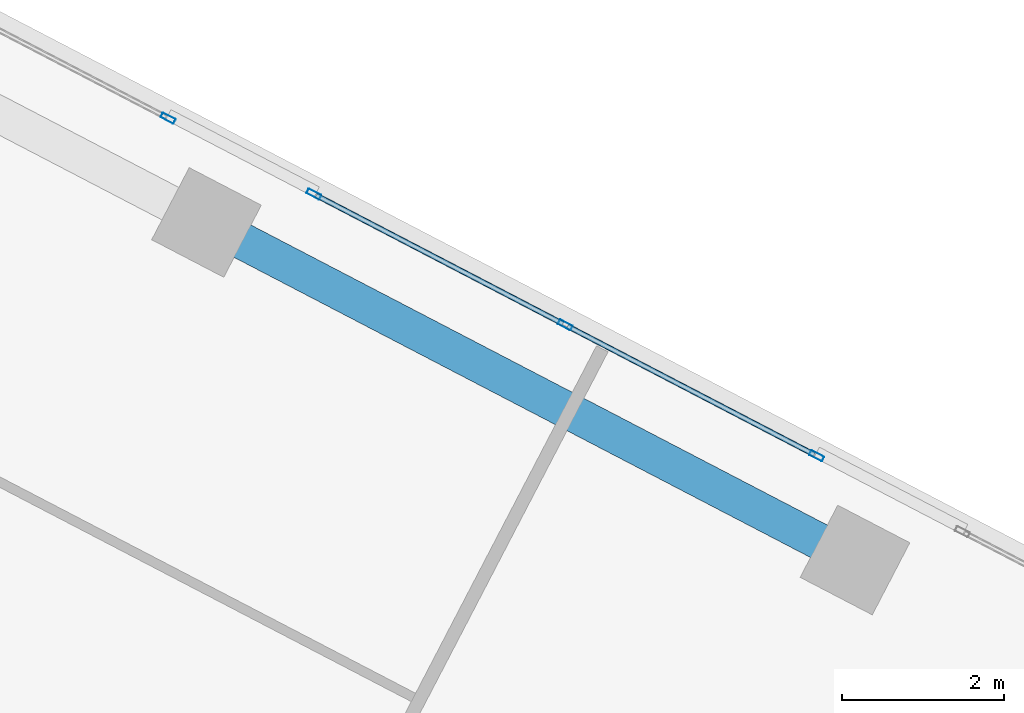
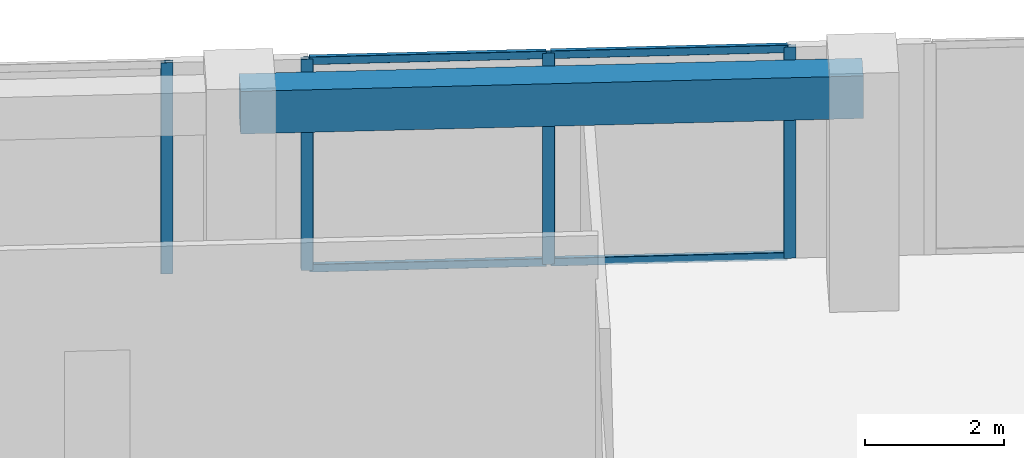
# One storey, part 15 of 22: 8 members, 1 beam, 2 elements without a shape of their own.
"""IFC4 building model written with IfcOpenShell, lengths in metres."""

from ifc_helpers import new_model, si_unit, direction, frame, origin, origin_2d, place, context, subcontext, project, spatial, rectangle, hollow_rectangle, extrude, source, transform, mapped, material, material_profile, profile_set, type_object, element, aggregate, save


model = new_model("IFC4")

# Units and contexts
model_context = context("Model", 3, precision=1e-05, world=origin(), true_north=direction((0.0, 1.0)))
body_context = subcontext(model_context, "Body", "Model", "MODEL_VIEW")
ifc_project = project(units=[si_unit("LENGTHUNIT", "METRE"), si_unit("AREAUNIT", "SQUARE_METRE"), si_unit("VOLUMEUNIT", "CUBIC_METRE"), si_unit("PLANEANGLEUNIT", "RADIAN"), si_unit("MASSUNIT", "GRAM", prefix="KILO")], contexts=[model_context])

# Site, building, storey
site_placement = place(None, origin())
site = spatial("IfcSite", under=ifc_project, at=site_placement, CompositionType="ELEMENT")
building_placement = place(site_placement, origin())
building = spatial("IfcBuilding", under=site, at=building_placement, Name="Torre Montelarca", CompositionType="ELEMENT")
storey_placement = place(building_placement, frame((0.0, 0.0, 166.60009765625)))
storey = spatial("IfcBuildingStorey", under=building, at=storey_placement, Name="L37", CompositionType="ELEMENT", Elevation=166.60009765625)

# Beam
ifc_material_1 = material(Name="Concrete C55/67", Category="concrete")
ifc_material_profile_1 = material_profile(ifc_material_1, rectangle(XDim=0.449951171875, YDim=0.75, at=origin_2d()), Name="RCB450X750", Category="concrete")
ifc_profile_set_1 = profile_set([ifc_material_profile_1], Name="Concrete C55/67")
beam_type = type_object("IfcBeamType", Name="BM-SP-RC750-EXT", PredefinedType="SPANDREL", material=ifc_profile_set_1)
shared_shape_1 = source(origin(), body_context, "Body", "SweptSolid", [
    extrude(rectangle(XDim=0.449951171875, YDim=0.75, at=origin_2d()), origin(), (0.0, 0.0, 1.0), 9.0),
])
beam_placement = place(storey_placement, frame((33.3740234375, 42.898681640625, 3.5849609375), z_axis=(0.887011077451, -0.461748143991, 0.0), x_axis=(0.461748143991, 0.887011077451, 0.0)))
element("IfcBeam", 1, at=beam_placement, inside=storey, type_object=beam_type, Name="L37 Grid Girder X 27.0-36.0 at Y=47.1", PredefinedType="SPANDREL", context=body_context, shape_type="MappedRepresentation", body=[
    mapped(shared_shape_1, transform((0.0, 0.0, 0.0), scale=1.0)),
])

# Curtain wall, members
ifc_material_2 = material(Name="Insulated low-E laminated glass", Category="glass")
curtain_wall_type = type_object("IfcCurtainWallType", Name="CW-SYS-Z2", PredefinedType="USERDEFINED", material=ifc_material_2)
curtain_wall_1_placement = place(storey_placement, origin())
curtain_wall_1 = element("IfcCurtainWall", 2, at=curtain_wall_1_placement, inside=storey, type_object=curtain_wall_type, Name="L37 Curtain Wall Run CW-T3-L37-E08-B2", ObjectType="UNITISED GLAZING", PredefinedType="USERDEFINED")
ifc_material_3 = material(Name="Anodised aluminium AA 6063-T6", Category="aluminium")
ifc_material_profile_2 = material_profile(ifc_material_3, hollow_rectangle(XDim=0.06494140625, YDim=0.179931640625, WallThickness=0.00390625, InnerFilletRadius=0.00390625, OuterFilletRadius=0.008056640625, at=origin_2d()), Name="ALU65X180X4", Category="aluminium")
ifc_profile_set_2 = profile_set([ifc_material_profile_2], Name="Anodised aluminium AA 6063-T6")
member_type_1 = type_object("IfcMemberType", Name="CWM-ALU180", PredefinedType="MULLION", material=ifc_profile_set_2)
shared_shape_2 = source(origin(), body_context, "Body", "SweptSolid", [
    extrude(hollow_rectangle(XDim=0.06494140625, YDim=0.179931640625, WallThickness=0.00390625, InnerFilletRadius=0.00390625, OuterFilletRadius=0.008056640625, at=origin_2d()), origin(), (0.0, 0.0, 1.0), 3.719970703125),
])
member_1_placement = place(storey_placement, frame((40.8837890625, 40.026611328125, 0.0), z_axis=(0.0, 0.0, 1.0), x_axis=(-0.461745384352, -0.887012514021, 0.0)))
member_1 = element("IfcMember", 3, at=member_1_placement, type_object=member_type_1, Name="CW mullion 1", PredefinedType="MULLION", context=body_context, shape_type="MappedRepresentation", body=[
    mapped(shared_shape_2, transform((0.0, 0.0, 0.0), scale=1.0)),
])
member_2_placement = place(storey_placement, frame((37.790283203125, 41.63671875, 0.0), z_axis=(0.0, 0.0, 1.0), x_axis=(-0.461745384352, -0.887012514021, 0.0)))
member_2 = element("IfcMember", 4, at=member_2_placement, type_object=member_type_1, Name="CW mullion 2", PredefinedType="MULLION", context=body_context, shape_type="MappedRepresentation", body=[
    mapped(shared_shape_2, transform((0.0, 0.0, 0.0), scale=1.0)),
])
member_3_placement = place(storey_placement, frame((34.697021484375, 43.2470703125, 0.0), z_axis=(0.0, 0.0, 1.0), x_axis=(-0.461745384352, -0.887012514021, 0.0)))
member_3 = element("IfcMember", 5, at=member_3_placement, type_object=member_type_1, Name="CW mullion 3", PredefinedType="MULLION", context=body_context, shape_type="MappedRepresentation", body=[
    mapped(shared_shape_2, transform((0.0, 0.0, 0.0), scale=1.0)),
])

# Curtain wall, member
curtain_wall_2_placement = place(storey_placement, origin())
curtain_wall_2 = element("IfcCurtainWall", 6, at=curtain_wall_2_placement, inside=storey, type_object=curtain_wall_type, Name="L37 Curtain Wall Run CW-T3-L37-E08-B3", ObjectType="UNITISED GLAZING", PredefinedType="USERDEFINED")
member_4_placement = place(storey_placement, frame((32.90087890625, 44.18212890625, 0.0), z_axis=(0.0, 0.0, 1.0), x_axis=(-0.461750742588, -0.887009724704, 0.0)))
member_4 = element("IfcMember", 7, at=member_4_placement, type_object=member_type_1, Name="CW mullion 1", PredefinedType="MULLION", context=body_context, shape_type="MappedRepresentation", body=[
    mapped(shared_shape_2, transform((0.0, 0.0, 0.0), scale=1.0)),
])
aggregate(curtain_wall_2, [member_4])

# Member
ifc_material_profile_3 = material_profile(ifc_material_3, hollow_rectangle(XDim=0.06494140625, YDim=0.139892578125, WallThickness=0.00390625, InnerFilletRadius=0.00390625, OuterFilletRadius=0.008056640625, at=origin_2d()), Name="ALU65X140X4", Category="aluminium")
ifc_profile_set_3 = profile_set([ifc_material_profile_3], Name="Anodised aluminium AA 6063-T6")
member_type_2 = type_object("IfcMemberType", Name="CWT-ALU140", PredefinedType="USERDEFINED", material=ifc_profile_set_3)
shared_shape_3 = source(origin(), body_context, "Body", "SweptSolid", [
    extrude(hollow_rectangle(XDim=0.06494140625, YDim=0.139892578125, WallThickness=0.00390625, InnerFilletRadius=0.00390625, OuterFilletRadius=0.008056640625, at=origin_2d()), origin(), (0.0, 0.0, 1.0), 3.42236328125),
])
member_5_placement = place(storey_placement, frame((40.85498046875, 40.04150390625, 0.032470703125), z_axis=(-0.887002964865, 0.461763727809, 0.0), x_axis=(-0.461763727809, -0.887002964865, 0.0)))
member_5 = element("IfcMember", 8, at=member_5_placement, type_object=member_type_2, Name="CW transom 1.1", ObjectType="TRANSOM", PredefinedType="USERDEFINED", context=body_context, shape_type="MappedRepresentation", body=[
    mapped(shared_shape_3, transform((0.0, 0.0, 0.0), scale=1.0)),
])

member_6_placement = place(storey_placement, frame((40.85498046875, 40.04150390625, 3.6875), z_axis=(-0.887002964865, 0.461763727809, 0.0), x_axis=(-0.461763727809, -0.887002964865, 0.0)))
member_6 = element("IfcMember", 9, at=member_6_placement, type_object=member_type_2, Name="CW transom 1.2", ObjectType="TRANSOM", PredefinedType="USERDEFINED", context=body_context, shape_type="MappedRepresentation", body=[
    mapped(shared_shape_3, transform((0.0, 0.0, 0.0), scale=1.0)),
])

member_7_placement = place(storey_placement, frame((37.761474609375, 41.65185546875, 0.032470703125), z_axis=(-0.887002964865, 0.461763727809, 0.0), x_axis=(-0.461763727809, -0.887002964865, 0.0)))
member_7 = element("IfcMember", 10, at=member_7_placement, type_object=member_type_2, Name="CW transom 2.1", ObjectType="TRANSOM", PredefinedType="USERDEFINED", context=body_context, shape_type="MappedRepresentation", body=[
    mapped(shared_shape_3, transform((0.0, 0.0, 0.0), scale=1.0)),
])

member_8_placement = place(storey_placement, frame((37.761474609375, 41.65185546875, 3.6875), z_axis=(-0.887002964865, 0.461763727809, 0.0), x_axis=(-0.461763727809, -0.887002964865, 0.0)))
member_8 = element("IfcMember", 11, at=member_8_placement, type_object=member_type_2, Name="CW transom 2.2", ObjectType="TRANSOM", PredefinedType="USERDEFINED", context=body_context, shape_type="MappedRepresentation", body=[
    mapped(shared_shape_3, transform((0.0, 0.0, 0.0), scale=1.0)),
])

aggregate(curtain_wall_1, [member_1, member_2, member_3, member_5, member_6, member_7, member_8])

save(model, "model.ifc")
